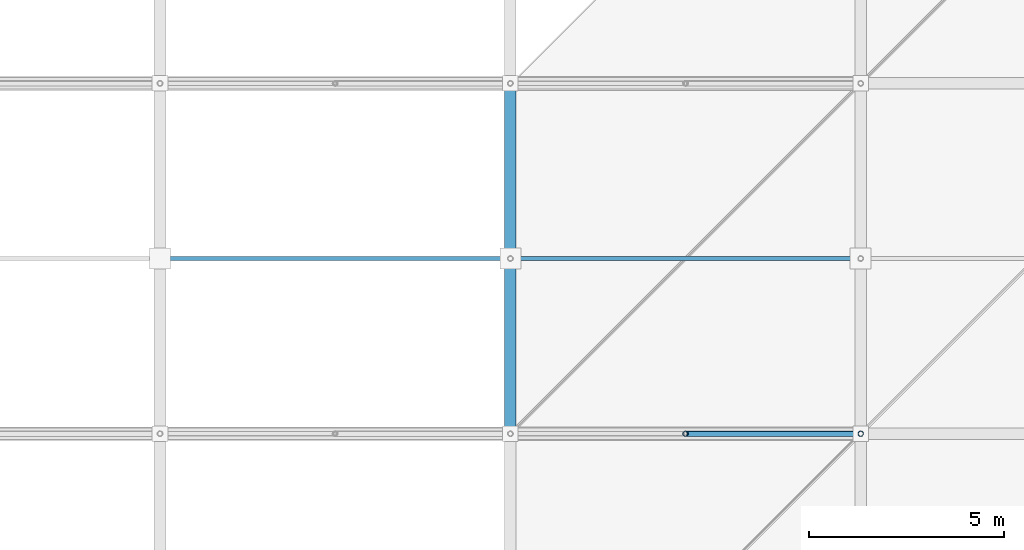
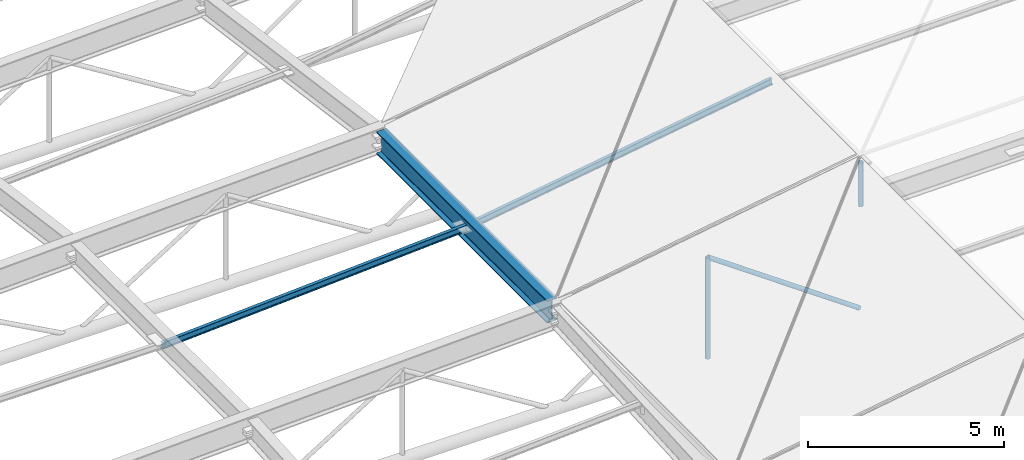
# One storey, part 24 of 80: 5 members, 1 beam.
"""IFC4 building model written with IfcOpenShell, lengths in metres."""

from ifc_helpers import new_model, si_unit, direction, frame, origin, origin_2d, place, context, subcontext, project, spatial, hollow_circle, i_section, extrude, material, material_profile, profile_set, type_object, element, save


model = new_model("IFC4")

# Units and contexts
model_context = context("Model", 3, precision=1e-05, world=origin(), true_north=direction((0.0, 1.0)))
body_context = subcontext(model_context, "Body", "Model", "MODEL_VIEW")
ifc_project = project(units=[si_unit("LENGTHUNIT", "METRE"), si_unit("AREAUNIT", "SQUARE_METRE"), si_unit("VOLUMEUNIT", "CUBIC_METRE"), si_unit("PLANEANGLEUNIT", "RADIAN"), si_unit("MASSUNIT", "GRAM", prefix="KILO")], contexts=[model_context])

# Site, building, storey
site_placement = place(None, origin())
site = spatial("IfcSite", under=ifc_project, at=site_placement, CompositionType="ELEMENT")
building_placement = place(site_placement, origin())
building = spatial("IfcBuilding", under=site, at=building_placement, Name="Barlavento Convention Centre", CompositionType="ELEMENT")
storey_placement = place(building_placement, frame((0.0, 0.0, 29.800048828125)))
storey = spatial("IfcBuildingStorey", under=building, at=storey_placement, Name="RF", CompositionType="ELEMENT", Elevation=29.800048828125)

# Beam
ifc_material_1 = material(Name="Steel S460", Category="steel")
ifc_material_profile_1 = material_profile(ifc_material_1, i_section(OverallWidth=0.300048828125, OverallDepth=0.699951171875, WebThickness=0.01708984375, FlangeThickness=0.031982421875, FilletRadius=0.027099609375, at=origin_2d()), Name="HEB 700")
ifc_profile_set_1 = profile_set([ifc_material_profile_1], Name="Steel S460")
beam_type = type_object("IfcBeamType", Name="STR-BM-TRUSS-TOP-HEB700", PredefinedType="BEAM", material=ifc_profile_set_1)
beam_placement = place(storey_placement, frame((45.0, 18.155029296875, -0.197021484375), z_axis=(0.0, 1.0, 0.0), x_axis=(-1.0, 0.0, 0.0)))
element("IfcBeam", 1, at=beam_placement, inside=storey, type_object=beam_type, Name="Congress roof truss space frame chord", PredefinedType="BEAM", context=body_context, shape_type="SweptSolid", body=[
    extrude(i_section(OverallWidth=0.300048828125, OverallDepth=0.699951171875, WebThickness=0.01708984375, FlangeThickness=0.031982421875, FilletRadius=0.027099609375, at=origin_2d()), origin(), (0.0, 0.0, 1.0), 8.68994140625),
])

# Members
ifc_material_2 = material(Name="Steel S355", Category="steel")
ifc_material_profile_2 = material_profile(ifc_material_2, hollow_circle(Radius=0.06982421875, WallThickness=0.008056640625, at=origin_2d()), Name="CHS 139.7x8.0")
ifc_profile_set_2 = profile_set([ifc_material_profile_2], Name="Steel S355")
member_type_1 = type_object("IfcMemberType", Name="STR-MEM-DIAG-CHS139", PredefinedType="BRACE", material=ifc_profile_set_2)
member_1_placement = place(storey_placement, frame((49.5, 18.0, -3.15625), z_axis=(0.0, 0.0, 1.0), x_axis=(1.0, 0.0, 0.0)))
element("IfcMember", 2, at=member_1_placement, inside=storey, type_object=member_type_1, Name="Plenary hall roof truss web member", PredefinedType="BRACE", context=body_context, shape_type="SweptSolid", body=[
    extrude(hollow_circle(Radius=0.06982421875, WallThickness=0.008056640625, at=origin_2d()), origin(), (0.0, 0.0, 1.0), 3.135986328125),
])
member_2_placement = place(storey_placement, frame((49.5, 18.0, -0.020263671875), z_axis=(0.817413803331, 0.0, -0.576050930147), x_axis=(0.0, 1.0, 0.0)))
element("IfcMember", 3, at=member_2_placement, inside=storey, type_object=member_type_1, Name="Plenary hall roof truss web member", PredefinedType="BRACE", context=body_context, shape_type="SweptSolid", body=[
    extrude(hollow_circle(Radius=0.06982421875, WallThickness=0.008056640625, at=origin_2d()), origin(), (0.0, 0.0, 1.0), 5.44384765625),
])
member_3_placement = place(storey_placement, frame((54.0, 18.0, 0.00634765625), z_axis=(0.0, 0.0, 1.0), x_axis=(1.0, 0.0, 0.0)))
element("IfcMember", 4, at=member_3_placement, inside=storey, type_object=member_type_1, Name="Congress space frame vertical node post TD04", PredefinedType="BRACE", context=body_context, shape_type="SweptSolid", body=[
    extrude(hollow_circle(Radius=0.06982421875, WallThickness=0.008056640625, at=origin_2d()), origin(), (0.0, 0.0, 1.0), 1.369873046875),
])
ifc_material_profile_3 = material_profile(ifc_material_2, i_section(OverallWidth=0.10009765625, OverallDepth=0.199951171875, WebThickness=0.005615234375, FlangeThickness=0.008544921875, FilletRadius=0.011962890625, at=origin_2d()), Name="IPE 200")
ifc_profile_set_3 = profile_set([ifc_material_profile_3], Name="Steel S355")
member_type_2 = type_object("IfcMemberType", Name="STR-MEM-PUR-IPE200", PredefinedType="PURLIN", material=ifc_profile_set_3)
member_4_placement = place(storey_placement, frame((36.02001953125, 22.5, -0.77783203125), z_axis=(0.998188548056, 0.0, 0.060163298864), x_axis=(0.0, 1.0, 0.0)))
element("IfcMember", 5, at=member_4_placement, inside=storey, type_object=member_type_2, Name="Congress roof intermediate purlin PR01", PredefinedType="PURLIN", context=body_context, shape_type="SweptSolid", body=[
    extrude(i_section(OverallWidth=0.10009765625, OverallDepth=0.199951171875, WebThickness=0.005615234375, FlangeThickness=0.008544921875, FilletRadius=0.011962890625, at=origin_2d()), origin(), (0.0, 0.0, 1.0), 8.976318359375),
])
member_5_placement = place(storey_placement, frame((45.02001953125, 22.5, -0.232177734375), z_axis=(0.987844670797, 0.0, 0.155444222721), x_axis=(0.0, 1.0, 0.0)))
element("IfcMember", 6, at=member_5_placement, inside=storey, type_object=member_type_2, Name="Congress roof intermediate purlin PR01", PredefinedType="PURLIN", context=body_context, shape_type="SweptSolid", body=[
    extrude(i_section(OverallWidth=0.10009765625, OverallDepth=0.199951171875, WebThickness=0.005615234375, FlangeThickness=0.008544921875, FilletRadius=0.011962890625, at=origin_2d()), origin(), (0.0, 0.0, 1.0), 9.0703125),
])

save(model, "model.ifc")
